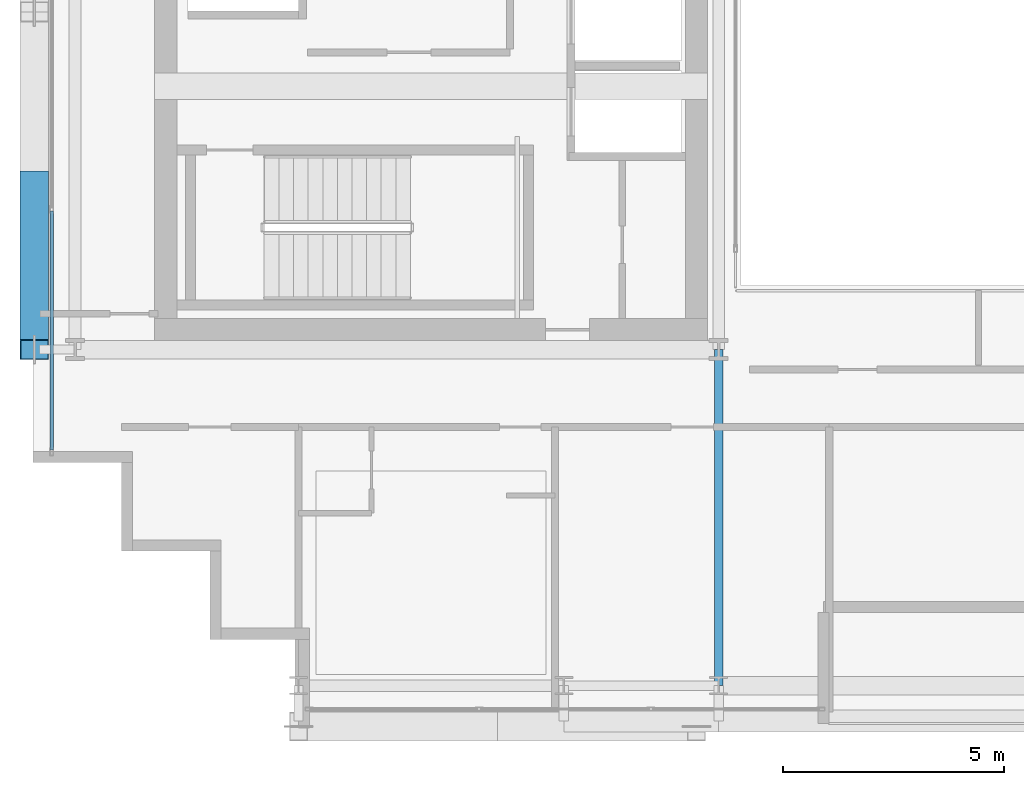
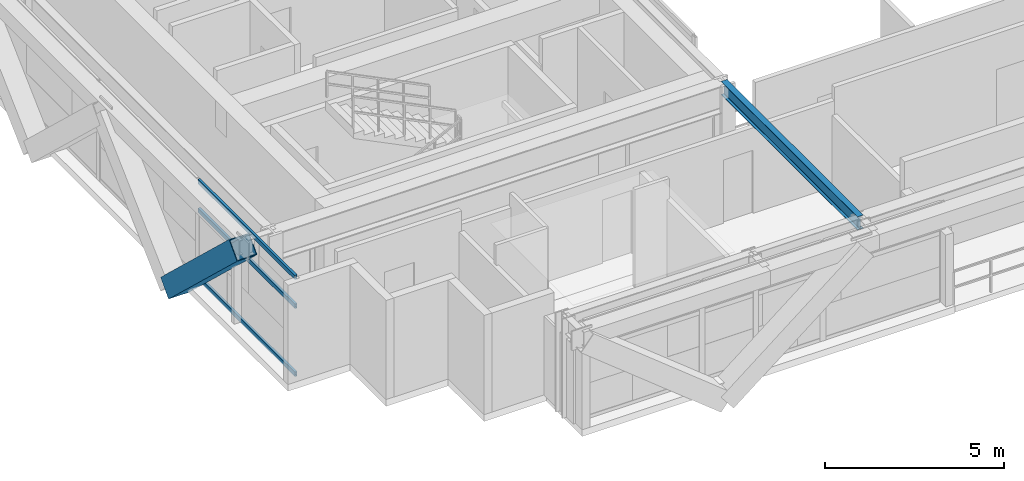
# One storey, part 3 of 37: 4 members, 1 beam, 1 element without a shape of its own.
"""IFC4 building model written with IfcOpenShell, lengths in metres."""

from ifc_helpers import new_model, si_unit, direction, frame, origin, origin_2d, place, context, subcontext, project, spatial, hollow_rectangle, i_section, extrude, source, transform, mapped, material, layer, layer_set, material_profile, profile_set, type_object, element, aggregate, save


model = new_model("IFC4")

# Units and contexts
model_context = context("Model", 3, precision=1e-05, world=origin(), true_north=direction((0.0, 1.0)))
body_context = subcontext(model_context, "Body", "Model", "MODEL_VIEW")
ifc_project = project(units=[si_unit("LENGTHUNIT", "METRE"), si_unit("AREAUNIT", "SQUARE_METRE"), si_unit("VOLUMEUNIT", "CUBIC_METRE"), si_unit("PLANEANGLEUNIT", "RADIAN"), si_unit("MASSUNIT", "GRAM", prefix="KILO")], contexts=[model_context])

# Site, building, storey
site_placement = place(None, origin())
site = spatial("IfcSite", under=ifc_project, at=site_placement, CompositionType="ELEMENT")
building_placement = place(site_placement, origin())
building = spatial("IfcBuilding", under=site, at=building_placement, Name="Ocotamira Hotel", CompositionType="ELEMENT")
storey_placement = place(building_placement, frame((0.0, 0.0, 192.0)))
storey = spatial("IfcBuildingStorey", under=building, at=storey_placement, Name="L48", CompositionType="ELEMENT", Elevation=192.0)

# Beam
ifc_material_1 = material(Name="Steel ASTM A992 Grade 50", Category="steel")
ifc_material_profile_1 = material_profile(ifc_material_1, i_section(OverallWidth=0.18994140625, OverallDepth=0.45703125, WebThickness=0.009033203125, FlangeThickness=0.014404296875, FilletRadius=0.010009765625, at=origin_2d()), Name="W18X50")
ifc_profile_set_1 = profile_set([ifc_material_profile_1], Name="Steel ASTM A992 Grade 50")
beam_type = type_object("IfcBeamType", Name="BM-SEC-W18X50", PredefinedType="JOIST", material=ifc_profile_set_1)
shared_shape_1 = source(origin(), body_context, "Body", "SweptSolid", [
    extrude(i_section(OverallWidth=0.18994140625, OverallDepth=0.45703125, WebThickness=0.009033203125, FlangeThickness=0.014404296875, FilletRadius=0.010009765625, at=origin_2d()), origin(), (0.0, 0.0, 1.0), 7.60009765625),
])
beam_placement = place(storey_placement, frame((23.5, 6.949951171875, 3.1416015625), z_axis=(0.0, 1.0, 0.0), x_axis=(-1.0, 0.0, 0.0)))
element("IfcBeam", 1, at=beam_placement, inside=storey, type_object=beam_type, Name="L48 Beam X23.5 Y6.95-14.55", PredefinedType="JOIST", context=body_context, shape_type="MappedRepresentation", body=[
    mapped(shared_shape_1, transform((0.0, 0.0, 0.0), scale=1.0)),
])

# Member
ifc_material_2 = material(Name="Pale-metal coated steel ASTM A913 Grade 65", Category="steel")
ifc_material_profile_2 = material_profile(ifc_material_2, hollow_rectangle(XDim=0.64990234375, YDim=0.64990234375, WallThickness=0.02197265625, at=origin_2d()), Name="BOX650X650X22")
ifc_profile_set_2 = profile_set([ifc_material_profile_2], Name="Pale-metal coated steel ASTM A913 Grade 65")
member_type_1 = type_object("IfcMemberType", Name="MEM-EXO-BOX650", PredefinedType="BRACE", material=ifc_profile_set_2)
shared_shape_2 = source(origin(), body_context, "Body", "SweptSolid", [
    extrude(hollow_rectangle(XDim=0.64990234375, YDim=0.64990234375, WallThickness=0.02197265625, at=origin_2d()), origin(), (0.0, 0.0, 1.0), 5.24658203125),
])
member_1_placement = place(storey_placement, frame((8.030029296875, 18.36669921875, -0.47998046875), z_axis=(0.0, -0.727442733726, 0.686168397078), x_axis=(1.0, 0.0, 0.0)))
element("IfcMember", 2, at=member_1_placement, inside=storey, type_object=member_type_1, Name="L48 Exoskeleton Diagrid W0.1", PredefinedType="BRACE", context=body_context, shape_type="MappedRepresentation", body=[
    mapped(shared_shape_2, transform((0.0, 0.0, 0.0), scale=1.0)),
])

# Curtain wall, members
ifc_material_3 = material(Name="Anodised pale-metal aluminium and solar glass", Category="aluminium")
ifc_layer = layer(ifc_material_3, 0.199951171875)
ifc_layer_set = layer_set([ifc_layer], Name="Anodised pale-metal aluminium and solar glass")
curtain_wall_type = type_object("IfcCurtainWallType", Name="CW-SYS4-Z3", PredefinedType="NOTDEFINED", material=ifc_layer_set)
curtain_wall_placement = place(storey_placement, origin())
curtain_wall = element("IfcCurtainWall", 3, at=curtain_wall_placement, inside=storey, type_object=curtain_wall_type, Name="L48 Curtain Wall CW-4 CW-L48-W", PredefinedType="NOTDEFINED")
ifc_material_4 = material(Name="Anodised pale-metal aluminium 6063-T6", Category="aluminium")
ifc_material_profile_3 = material_profile(ifc_material_4, hollow_rectangle(XDim=0.074951171875, YDim=0.14990234375, WallThickness=0.006103515625, at=origin_2d()), Name="HSS150X75X6")
ifc_profile_set_3 = profile_set([ifc_material_profile_3], Name="Anodised pale-metal aluminium 6063-T6")
member_type_2 = type_object("IfcMemberType", Name="CWT-150X75", PredefinedType="USERDEFINED", material=ifc_profile_set_3)
shared_shape_3 = source(origin(), body_context, "Body", "SweptSolid", [
    extrude(hollow_rectangle(XDim=0.074951171875, YDim=0.14990234375, WallThickness=0.006103515625, at=origin_2d()), origin(), (0.0, 0.0, 1.0), 5.39990234375),
])
member_2_placement = place(storey_placement, frame((8.419921875, 12.280029296875, 0.03759765625), z_axis=(0.0, 1.0, 0.0), x_axis=(-1.0, 0.0, 0.0)))
member_2 = element("IfcMember", 4, at=member_2_placement, type_object=member_type_2, Name="CW-4 transom 1.1", ObjectType="TRANSOM", PredefinedType="USERDEFINED", context=body_context, shape_type="MappedRepresentation", body=[
    mapped(shared_shape_3, transform((0.0, 0.0, 0.0), scale=1.0)),
])
member_3_placement = place(storey_placement, frame((8.419921875, 12.280029296875, 2.35009765625), z_axis=(0.0, 1.0, 0.0), x_axis=(-1.0, 0.0, 0.0)))
member_3 = element("IfcMember", 5, at=member_3_placement, type_object=member_type_2, Name="CW-4 transom 1.2", ObjectType="TRANSOM", PredefinedType="USERDEFINED", context=body_context, shape_type="MappedRepresentation", body=[
    mapped(shared_shape_3, transform((0.0, 0.0, 0.0), scale=1.0)),
])
member_4_placement = place(storey_placement, frame((8.419921875, 12.280029296875, 3.33251953125), z_axis=(0.0, 1.0, 0.0), x_axis=(-1.0, 0.0, 0.0)))
member_4 = element("IfcMember", 6, at=member_4_placement, type_object=member_type_2, Name="CW-4 transom 1.3", ObjectType="TRANSOM", PredefinedType="USERDEFINED", context=body_context, shape_type="MappedRepresentation", body=[
    mapped(shared_shape_3, transform((0.0, 0.0, 0.0), scale=1.0)),
])
aggregate(curtain_wall, [member_2, member_3, member_4])

save(model, "model.ifc")
